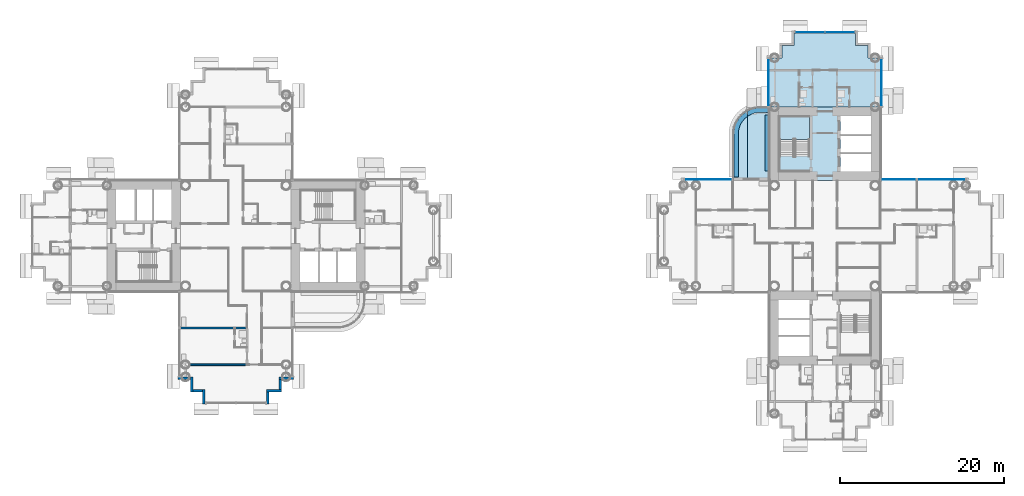
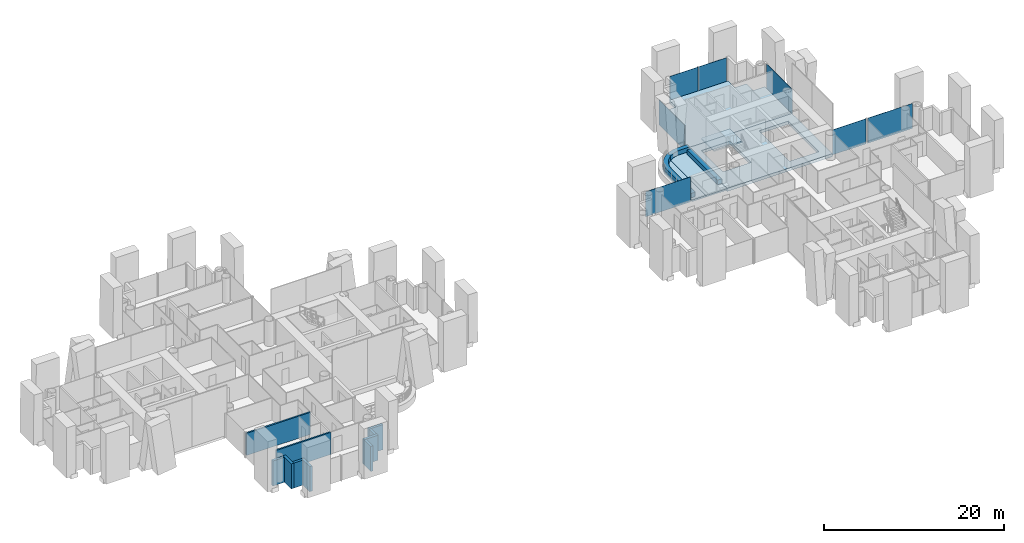
# One storey, part 9 of 23: 10 walls, 8 slabs, 7 plates, 7 elements without a shape of their own.
"""IFC4 building model written with IfcOpenShell, lengths in metres."""

from ifc_helpers import new_model, si_unit, direction, frame, frame_2d, origin, origin_2d, place, context, subcontext, project, spatial, polyline, rectangle, outline, extrude, material, layer, layer_set, type_object, element, aggregate, save


model = new_model("IFC4")

# Units and contexts
model_context = context("Model", 3, precision=1e-05, world=origin(), true_north=direction((0.0, 1.0)))
body_context = subcontext(model_context, "Body", "Model", "MODEL_VIEW")
ifc_project = project(units=[si_unit("LENGTHUNIT", "METRE"), si_unit("AREAUNIT", "SQUARE_METRE"), si_unit("VOLUMEUNIT", "CUBIC_METRE"), si_unit("PLANEANGLEUNIT", "RADIAN"), si_unit("MASSUNIT", "GRAM", prefix="KILO")], contexts=[model_context])

# Site, building, storey
site_placement = place(None, origin())
site = spatial("IfcSite", under=ifc_project, at=site_placement, CompositionType="ELEMENT")
building_placement = place(site_placement, origin())
building = spatial("IfcBuilding", under=site, at=building_placement, Name="Ipe Terrace Towers", CompositionType="ELEMENT")
storey_placement = place(building_placement, frame((0.0, 0.0, 44.89990234375)))
storey = spatial("IfcBuildingStorey", under=building, at=storey_placement, Name="L11", CompositionType="ELEMENT", Elevation=44.89990234375)

# Slabs
ifc_material_1 = material(Name="Concrete C30/37", Category="concrete")
ifc_layer_1 = layer(ifc_material_1, 0.199951171875)
ifc_layer_set_1 = layer_set([ifc_layer_1], Name="BALCONY SLAB 200")
slab_type_1 = type_object("IfcSlabType", Name="BALCONY SLAB 200", PredefinedType="FLOOR", material=ifc_layer_set_1)
slab_1_placement = place(storey_placement, frame((0.0, 0.0, -0.219970703125)))
element("IfcSlab", 1, at=slab_1_placement, inside=storey, type_object=slab_type_1, Name="balcony slab", PredefinedType="FLOOR", context=body_context, shape_type="SweptSolid", body=[
    extrude(outline(polyline([(26.787109375, 15.4990234375), (26.550048828125, 15.382080078125), (26.550048828125, 6.75), (29.25, 6.75), (29.25, 15.75), (28.050048828125, 15.75), (27.618896484375, 15.721923828125), (27.196044921875, 15.637939453125), (26.787109375, 15.4990234375)])), origin(), (0.0, 0.0, 1.0), 0.199951171875),
])
slab_2_placement = place(storey_placement, frame((0.0, 0.0, -0.219970703125)))
element("IfcSlab", 2, at=slab_2_placement, inside=storey, type_object=slab_type_1, Name="balcony slab", PredefinedType="FLOOR", context=body_context, shape_type="SweptSolid", body=[
    extrude(outline(polyline([(24.75, 6.75), (26.550048828125, 6.75), (26.550048828125, 15.382080078125), (26.39990234375, 15.30810546875), (26.041015625, 15.068115234375), (25.717041015625, 14.782958984375), (25.431884765625, 14.458984375), (25.19189453125, 14.10009765625), (25.0009765625, 13.712890625), (24.862060546875, 13.303955078125), (24.778076171875, 12.881103515625), (24.75, 12.449951171875), (24.75, 6.75)])), origin(), (0.0, 0.0, 1.0), 0.199951171875),
])
ifc_material_2 = material(Name="Concrete C30/37", Category="concrete")
ifc_layer_2 = layer(ifc_material_2, 0.39990234375)
ifc_layer_set_2 = layer_set([ifc_layer_2], Name="CORE FLOOR SLAB 400 C30-37")
slab_type_2 = type_object("IfcSlabType", Name="CORE FLOOR SLAB 400 C30-37", PredefinedType="FLOOR", material=ifc_layer_set_2)
slab_3_placement = place(storey_placement, frame((0.0, 0.0, -0.39990234375)))
element("IfcSlab", 3, at=slab_3_placement, inside=storey, type_object=slab_type_2, Name="Core floor T2-C1", PredefinedType="FLOOR", context=body_context, shape_type="SweptSolid", body=[
    extrude(outline(polyline([(29.25, 6.75), (29.25, 15.75), (42.75, 15.75), (42.75, 6.75), (29.25, 6.75)]), holes=[polyline([(41.64990234375, 7.85009765625), (41.64990234375, 14.64990234375), (37.89990234375, 14.64990234375), (37.89990234375, 7.85009765625), (41.64990234375, 7.85009765625)]), polyline([(30.449951171875, 9.800048828125), (34.10009765625, 9.800048828125), (34.10009765625, 14.550048828125), (30.449951171875, 14.550048828125), (30.449951171875, 9.800048828125)])]), origin(), (0.0, 0.0, 1.0), 0.39990234375),
])

# Stair, slab
ifc_material_3 = material(Name="Concrete C30/37", Category="concrete")
stair_type = type_object("IfcStairType", Name="Protected exit stair", PredefinedType="HALF_TURN_STAIR", material=ifc_material_3)
stair_placement = place(storey_placement, origin())
stair = element("IfcStair", 4, at=stair_placement, inside=storey, type_object=stair_type, Name="L11 Exit stair T2-C1", PredefinedType="HALF_TURN_STAIR")
ifc_material_4 = material(Name="Concrete C30/37", Category="concrete")
ifc_layer_3 = layer(ifc_material_4, 0.199951171875)
ifc_layer_set_3 = layer_set([ifc_layer_3], Name="Exit stair landing 200")
slab_type_3 = type_object("IfcSlabType", Name="Exit stair landing 200", PredefinedType="LANDING", material=ifc_layer_set_3)
slab_4_placement = place(storey_placement, frame((0.0, 0.0, 1.5)))
slab_4 = element("IfcSlab", 5, at=slab_4_placement, type_object=slab_type_3, Name="T2-ST1 landing 1", PredefinedType="LANDING", context=body_context, shape_type="SweptSolid", body=[
    extrude(outline(polyline([(34.10009765625, 11.780029296875), (34.10009765625, 14.550048828125), (30.449951171875, 14.550048828125), (30.449951171875, 11.780029296875), (34.10009765625, 11.780029296875)])), origin(), (0.0, 0.0, 1.0), 0.2001953125),
])
aggregate(stair, [slab_4])

# Slabs
ifc_material_5 = material(Name="Concrete C40/50", Category="concrete")
ifc_layer_4 = layer(ifc_material_5, 0.39990234375)
ifc_layer_set_4 = layer_set([ifc_layer_4], Name="FLAT PLATE SLAB 400 C40-50")
slab_type_4 = type_object("IfcSlabType", Name="FLAT PLATE SLAB 400 C40-50", PredefinedType="FLOOR", material=ifc_layer_set_4)
slab_5_placement = place(storey_placement, frame((0.0, 0.0, -0.39990234375)))
element("IfcSlab", 6, at=slab_5_placement, inside=storey, type_object=slab_type_4, Name="Slab T2-FS-Z13", PredefinedType="FLOOR", context=body_context, shape_type="SweptSolid", body=[
    extrude(outline(polyline([(30.75, 21.75), (30.75, 23.25), (32.25, 23.25), (32.25, 24.75), (39.75, 24.75), (39.75, 23.25), (41.25, 23.25), (41.25, 21.75), (42.75, 21.75), (42.75, 15.75), (29.25, 15.75), (29.25, 21.75), (30.75, 21.75)])), origin(), (0.0, 0.0, 1.0), 0.39990234375),
])
ifc_material_6 = material(Name="Concrete C30/37", Category="concrete")
ifc_layer_5 = layer(ifc_material_6, 0.60009765625)
ifc_layer_set_5 = layer_set([ifc_layer_5], Name="PLANTER TROUGH 550 x 600")
slab_type_5 = type_object("IfcSlabType", Name="PLANTER TROUGH 550 x 600", PredefinedType="USERDEFINED", material=ifc_layer_set_5)
slab_6_placement = place(storey_placement, frame((0.0, 0.0, -0.02001953125)))
element("IfcSlab", 7, at=slab_6_placement, inside=storey, type_object=slab_type_5, Name="planter", ObjectType="PLANTER", PredefinedType="USERDEFINED", context=body_context, shape_type="SweptSolid", body=[
    extrude(outline(polyline([(27.366943359375, 14.9990234375), (27.7060546875, 15.06591796875), (28.072021484375, 15.090087890625), (29.25, 15.090087890625), (29.25, 15.639892578125), (28.06298828125, 15.639892578125), (28.044921875, 15.638916015625), (27.652099609375, 15.614013671875), (27.615966796875, 15.60888671875), (27.241943359375, 15.534912109375), (27.20703125, 15.52490234375), (26.845947265625, 15.403076171875), (26.81298828125, 15.388916015625), (26.550048828125, 15.259033203125), (26.550048828125, 14.614013671875), (26.73095703125, 14.735107421875), (27.0400390625, 14.887939453125), (27.366943359375, 14.9990234375)])), origin(), (0.0, 0.0, 1.0), 0.60009765625),
])
slab_7_placement = place(storey_placement, frame((0.0, 0.0, -0.02001953125)))
element("IfcSlab", 8, at=slab_7_placement, inside=storey, type_object=slab_type_5, Name="planter", ObjectType="PLANTER", PredefinedType="USERDEFINED", context=body_context, shape_type="SweptSolid", body=[
    extrude(outline(polyline([(26.444091796875, 14.54296875), (26.550048828125, 14.614013671875), (26.550048828125, 15.259033203125), (26.470947265625, 15.219970703125), (26.43994140625, 15.201904296875), (26.123046875, 14.990966796875), (26.094970703125, 14.968994140625), (25.80810546875, 14.717041015625), (25.782958984375, 14.69189453125), (25.531005859375, 14.405029296875), (25.509033203125, 14.376953125), (25.298095703125, 14.06005859375), (25.280029296875, 14.029052734375), (25.111083984375, 13.68701171875), (25.096923828125, 13.654052734375), (24.97509765625, 13.29296875), (24.965087890625, 13.258056640625), (24.89111328125, 12.884033203125), (24.885986328125, 12.847900390625), (24.861083984375, 12.455078125), (24.860107421875, 12.43701171875), (24.860107421875, 7.199951171875), (25.409912109375, 7.199951171875), (25.409912109375, 12.427978515625), (25.43408203125, 12.7939453125), (25.5009765625, 13.133056640625), (25.612060546875, 13.4599609375), (25.764892578125, 13.76904296875), (25.95703125, 14.055908203125), (26.18408203125, 14.31591796875), (26.444091796875, 14.54296875)])), origin(), (0.0, 0.0, 1.0), 0.60009765625),
])
slab_8_placement = place(storey_placement, frame((0.0, 0.0, -0.02001953125)))
element("IfcSlab", 9, at=slab_8_placement, inside=storey, type_object=slab_type_5, Name="planter", ObjectType="PLANTER", PredefinedType="USERDEFINED", context=body_context, shape_type="SweptSolid", body=[
    extrude(outline(polyline([(29.25, 7.949951171875), (29.25, 14.75), (28.699951171875, 14.75), (28.699951171875, 7.949951171875), (29.25, 7.949951171875)])), origin(), (0.0, 0.0, 1.0), 0.60009765625),
])

# Curtain wall, plate
ifc_material_7 = material(Name="Aluminium alloy 6063-T6", Category="aluminium")
ifc_layer_6 = layer(ifc_material_7, 0.320068359375)
ifc_layer_set_6 = layer_set([ifc_layer_6], Name="TOWER UNITISED CURTAIN WALL")
curtain_wall_type = type_object("IfcCurtainWallType", Name="TOWER UNITISED CURTAIN WALL", PredefinedType="NOTDEFINED", material=ifc_layer_set_6)
curtain_wall_1_placement = place(storey_placement, origin())
curtain_wall_1 = element("IfcCurtainWall", 10, at=curtain_wall_1_placement, inside=storey, type_object=curtain_wall_type, Name="T2-CW-L11-17a curtain wall", PredefinedType="NOTDEFINED")
ifc_material_8 = material(Name="Glass, clear laminated", Category="glass")
ifc_layer_7 = layer(ifc_material_8, 0.031982421875)
ifc_layer_set_7 = layer_set([ifc_layer_7], Name="TOWER UNITISED GLASS PANEL 32")
plate_type = type_object("IfcPlateType", Name="TOWER UNITISED GLASS PANEL 32", PredefinedType="CURTAIN_PANEL", material=ifc_layer_set_7)
plate_1_placement = place(storey_placement, frame((50.25, 6.909912109375, -0.2998046875), z_axis=(0.0, 0.0, 1.0), x_axis=(-1.0, 0.0, 0.0)))
plate_1 = element("IfcPlate", 11, at=plate_1_placement, type_object=plate_type, Name="T2-CW-L11-17a panel 1", PredefinedType="CURTAIN_PANEL", context=body_context, shape_type="SweptSolid", body=[
    extrude(rectangle(XDim=5.760009765625, YDim=0.031982421875, at=origin_2d()), origin(), (0.0, 0.0, 1.0), 3.39990234375),
])
aggregate(curtain_wall_1, [plate_1])

curtain_wall_2_placement = place(storey_placement, origin())
curtain_wall_2 = element("IfcCurtainWall", 12, at=curtain_wall_2_placement, inside=storey, type_object=curtain_wall_type, Name="T2-CW-L11-18a curtain wall", PredefinedType="NOTDEFINED")
plate_2_placement = place(storey_placement, frame((45.0, 6.909912109375, -0.2998046875), z_axis=(0.0, 0.0, 1.0), x_axis=(-1.0, 0.0, 0.0)))
plate_2 = element("IfcPlate", 13, at=plate_2_placement, type_object=plate_type, Name="T2-CW-L11-18a panel 1", PredefinedType="CURTAIN_PANEL", context=body_context, shape_type="SweptSolid", body=[
    extrude(rectangle(XDim=4.260009765625, YDim=0.031982421875, at=origin_2d()), origin(), (0.0, 0.0, 1.0), 3.39990234375),
])
aggregate(curtain_wall_2, [plate_2])

curtain_wall_3_placement = place(storey_placement, origin())
curtain_wall_3 = element("IfcCurtainWall", 14, at=curtain_wall_3_placement, inside=storey, type_object=curtain_wall_type, Name="T2-CW-L11-20b curtain wall", PredefinedType="NOTDEFINED")
plate_3_placement = place(storey_placement, frame((42.909912109375, 18.75048828125, -0.2998046875), z_axis=(0.0, 0.0, 1.0), x_axis=(0.0, 1.0, 0.0)))
plate_3 = element("IfcPlate", 15, at=plate_3_placement, type_object=plate_type, Name="T2-CW-L11-20b panel 1", PredefinedType="CURTAIN_PANEL", context=body_context, shape_type="SweptSolid", body=[
    extrude(rectangle(XDim=5.759033203125, YDim=0.031982421875, at=origin_2d()), origin(), (0.0, 0.0, 1.0), 3.39990234375),
])
aggregate(curtain_wall_3, [plate_3])

# Curtain wall, plates
curtain_wall_4_placement = place(storey_placement, origin())
curtain_wall_4 = element("IfcCurtainWall", 16, at=curtain_wall_4_placement, inside=storey, type_object=curtain_wall_type, Name="T2-CW-L11-25a curtain wall", PredefinedType="NOTDEFINED")
plate_4_placement = place(storey_placement, frame((37.831298828125, 24.909912109375, -0.2998046875), z_axis=(0.0, 0.0, 1.0), x_axis=(-1.0, 0.0, 0.0)))
plate_4 = element("IfcPlate", 17, at=plate_4_placement, type_object=plate_type, Name="T2-CW-L11-25a panel 1", PredefinedType="CURTAIN_PANEL", context=body_context, shape_type="SweptSolid", body=[
    extrude(rectangle(XDim=3.597412109375, YDim=0.031982421875, at=origin_2d()), origin(), (0.0, 0.0, 1.0), 3.39990234375),
])
plate_5_placement = place(storey_placement, frame((34.168701171875, 24.909912109375, -0.2998046875), z_axis=(0.0, 0.0, 1.0), x_axis=(-1.0, 0.0, 0.0)))
plate_5 = element("IfcPlate", 18, at=plate_5_placement, type_object=plate_type, Name="T2-CW-L11-25a panel 2", PredefinedType="CURTAIN_PANEL", context=body_context, shape_type="SweptSolid", body=[
    extrude(rectangle(XDim=3.597412109375, YDim=0.031982421875, at=origin_2d()), origin(), (0.0, 0.0, 1.0), 3.39990234375),
])
aggregate(curtain_wall_4, [plate_4, plate_5])

# Curtain wall, plate
curtain_wall_5_placement = place(storey_placement, origin())
curtain_wall_5 = element("IfcCurtainWall", 19, at=curtain_wall_5_placement, inside=storey, type_object=curtain_wall_type, Name="T2-CW-L11-30a curtain wall", PredefinedType="NOTDEFINED")
plate_6_placement = place(storey_placement, frame((29.090087890625, 18.75048828125, -0.2998046875), z_axis=(0.0, 0.0, 1.0), x_axis=(0.0, -1.0, 0.0)))
plate_6 = element("IfcPlate", 20, at=plate_6_placement, type_object=plate_type, Name="T2-CW-L11-30a panel 1", PredefinedType="CURTAIN_PANEL", context=body_context, shape_type="SweptSolid", body=[
    extrude(rectangle(XDim=5.759033203125, YDim=0.031982421875, at=origin_2d()), origin(), (0.0, 0.0, 1.0), 3.39990234375),
])
aggregate(curtain_wall_5, [plate_6])

curtain_wall_6_placement = place(storey_placement, origin())
curtain_wall_6 = element("IfcCurtainWall", 21, at=curtain_wall_6_placement, inside=storey, type_object=curtain_wall_type, Name="T2-CW-L11-33a curtain wall", PredefinedType="NOTDEFINED")
plate_7_placement = place(storey_placement, frame((21.75, 6.909912109375, -0.2998046875), z_axis=(0.0, 0.0, 1.0), x_axis=(-1.0, 0.0, 0.0)))
plate_7 = element("IfcPlate", 22, at=plate_7_placement, type_object=plate_type, Name="T2-CW-L11-33a panel 1", PredefinedType="CURTAIN_PANEL", context=body_context, shape_type="SweptSolid", body=[
    extrude(rectangle(XDim=5.760009765625, YDim=0.031982421875, at=origin_2d()), origin(), (0.0, 0.0, 1.0), 3.39990234375),
])
aggregate(curtain_wall_6, [plate_7])

# Walls
ifc_material_9 = material(Name="Concrete C40/50 with buff precast cladding", Category="concrete")
ifc_layer_8 = layer(ifc_material_9, 0.320068359375)
ifc_layer_set_8 = layer_set([ifc_layer_8], Name="BUFF CLADDING WALL 320")
wall_type_1 = type_object("IfcWallType", Name="BUFF CLADDING WALL 320", PredefinedType="STANDARD", material=ifc_layer_set_8)
wall_1_placement = place(storey_placement, frame((-43.070068359375, -17.409912109375, -0.2998046875), z_axis=(0.0, 0.0, 1.0), x_axis=(1.0, 0.0, 0.0)))
element("IfcWall", 23, at=wall_1_placement, inside=storey, type_object=wall_type_1, Name="T1-W-L11-08a wall", PredefinedType="STANDARD", context=body_context, shape_type="SweptSolid", body=[
    extrude(rectangle(XDim=1.5, YDim=0.320068359375, at=frame_2d((0.75, 0.0))), origin(), (0.0, 0.0, 1.0), 3.39990234375),
])
wall_2_placement = place(storey_placement, frame((-41.409912109375, -17.25, -0.2998046875), z_axis=(0.0, 0.0, 1.0), x_axis=(0.0, -1.0, 0.0)))
element("IfcWall", 24, at=wall_2_placement, inside=storey, type_object=wall_type_1, Name="T1-W-L11-09a wall", PredefinedType="STANDARD", context=body_context, shape_type="SweptSolid", body=[
    extrude(rectangle(XDim=1.820068359375, YDim=0.320068359375, at=frame_2d((0.91015625, 0.0))), origin(), (0.0, 0.0, 1.0), 3.39990234375),
])
wall_3_placement = place(storey_placement, frame((-41.25, -18.909912109375, -0.2998046875), z_axis=(0.0, 0.0, 1.0), x_axis=(1.0, 0.0, 0.0)))
element("IfcWall", 25, at=wall_3_placement, inside=storey, type_object=wall_type_1, Name="T1-W-L11-10a wall", PredefinedType="STANDARD", context=body_context, shape_type="SweptSolid", body=[
    extrude(rectangle(XDim=1.179931640625, YDim=0.320068359375, at=frame_2d((0.58984375, 0.0))), origin(), (0.0, 0.0, 1.0), 3.39990234375),
])
wall_4_placement = place(storey_placement, frame((-39.909912109375, -18.75, -0.2998046875), z_axis=(0.0, 0.0, 1.0), x_axis=(0.0, -1.0, 0.0)))
element("IfcWall", 26, at=wall_4_placement, inside=storey, type_object=wall_type_1, Name="T1-W-L11-11a wall", PredefinedType="STANDARD", context=body_context, shape_type="SweptSolid", body=[
    extrude(rectangle(XDim=1.820068359375, YDim=0.320068359375, at=frame_2d((0.91015625, 0.0))), origin(), (0.0, 0.0, 1.0), 3.39990234375),
])
wall_5_placement = place(storey_placement, frame((-32.090087890625, -20.570068359375, -0.2998046875), z_axis=(0.0, 0.0, 1.0), x_axis=(0.0, 1.0, 0.0)))
element("IfcWall", 27, at=wall_5_placement, inside=storey, type_object=wall_type_1, Name="T1-W-L11-13a wall", PredefinedType="STANDARD", context=body_context, shape_type="SweptSolid", body=[
    extrude(rectangle(XDim=1.5, YDim=0.320068359375, at=frame_2d((0.75, 0.0))), origin(), (0.0, 0.0, 1.0), 3.39990234375),
])
wall_6_placement = place(storey_placement, frame((-32.25, -18.909912109375, -0.2998046875), z_axis=(0.0, 0.0, 1.0), x_axis=(1.0, 0.0, 0.0)))
element("IfcWall", 28, at=wall_6_placement, inside=storey, type_object=wall_type_1, Name="T1-W-L11-14a wall", PredefinedType="STANDARD", context=body_context, shape_type="SweptSolid", body=[
    extrude(rectangle(XDim=1.820068359375, YDim=0.320068359375, at=frame_2d((0.91015625, 0.0))), origin(), (0.0, 0.0, 1.0), 3.39990234375),
])
wall_7_placement = place(storey_placement, frame((-30.590087890625, -18.75, -0.2998046875), z_axis=(0.0, 0.0, 1.0), x_axis=(0.0, 1.0, 0.0)))
element("IfcWall", 29, at=wall_7_placement, inside=storey, type_object=wall_type_1, Name="T1-W-L11-15a wall", PredefinedType="STANDARD", context=body_context, shape_type="SweptSolid", body=[
    extrude(rectangle(XDim=1.179931640625, YDim=0.320068359375, at=frame_2d((0.58984375, 0.0))), origin(), (0.0, 0.0, 1.0), 3.39990234375),
])
wall_8_placement = place(storey_placement, frame((-30.75, -17.409912109375, -0.2998046875), z_axis=(0.0, 0.0, 1.0), x_axis=(1.0, 0.0, 0.0)))
element("IfcWall", 30, at=wall_8_placement, inside=storey, type_object=wall_type_1, Name="T1-W-L11-16a wall", PredefinedType="STANDARD", context=body_context, shape_type="SweptSolid", body=[
    extrude(rectangle(XDim=1.820068359375, YDim=0.320068359375, at=frame_2d((0.91015625, 0.0))), origin(), (0.0, 0.0, 1.0), 3.39990234375),
])
ifc_material_10 = material(Name="Gypsum board party wall", Category="plasterboard")
ifc_layer_9 = layer(ifc_material_10, 0.199951171875)
ifc_layer_set_9 = layer_set([ifc_layer_9], Name="Gypsum board party wall 200 mm")
wall_type_2 = type_object("IfcWallType", Name="Gypsum board party wall 200 mm", PredefinedType="SOLIDWALL", material=ifc_layer_set_9)
wall_9_placement = place(storey_placement, frame((-41.64990234375, -15.75, 0.0), z_axis=(0.0, 0.0, 1.0), x_axis=(1.0, 0.0, 0.0)))
element("IfcWall", 31, at=wall_9_placement, inside=storey, type_object=wall_type_2, Name="Gypsum board party wall T1 L11 W21", PredefinedType="SOLIDWALL", context=body_context, shape_type="SweptSolid", body=[
    extrude(rectangle(XDim=7.0, YDim=0.199951171875, at=frame_2d((3.5, 0.0))), origin(), (0.0, 0.0, 1.0), 3.0),
])
wall_10_placement = place(storey_placement, frame((-42.85009765625, -11.25, 0.0), z_axis=(0.0, 0.0, 1.0), x_axis=(1.0, 0.0, 0.0)))
element("IfcWall", 32, at=wall_10_placement, inside=storey, type_object=wall_type_2, Name="Gypsum board party wall T1 L11 W24", PredefinedType="SOLIDWALL", context=body_context, shape_type="SweptSolid", body=[
    extrude(rectangle(XDim=8.2001953125, YDim=0.199951171875, at=frame_2d((4.10009765625, 0.0))), origin(), (0.0, 0.0, 1.0), 3.0),
])

save(model, "model.ifc")
